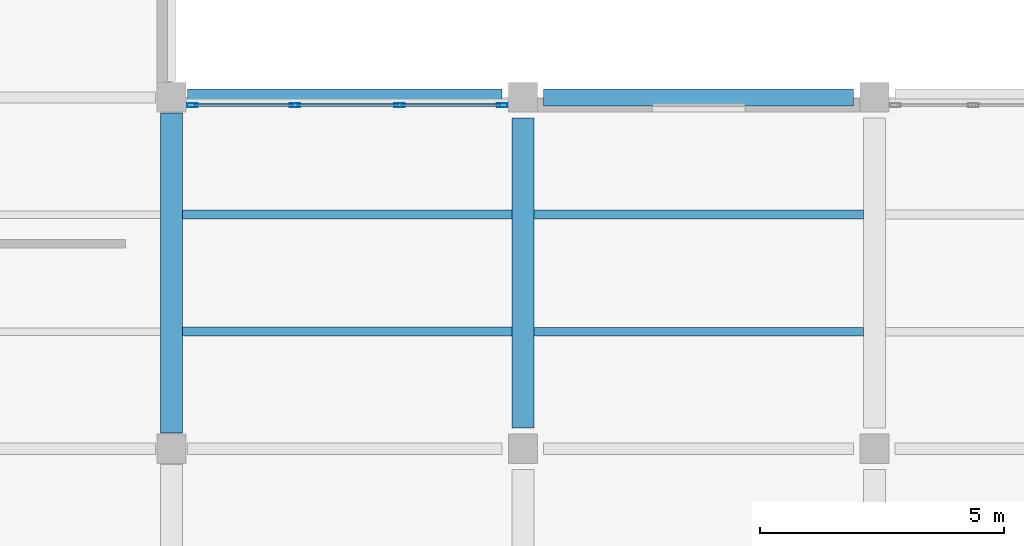
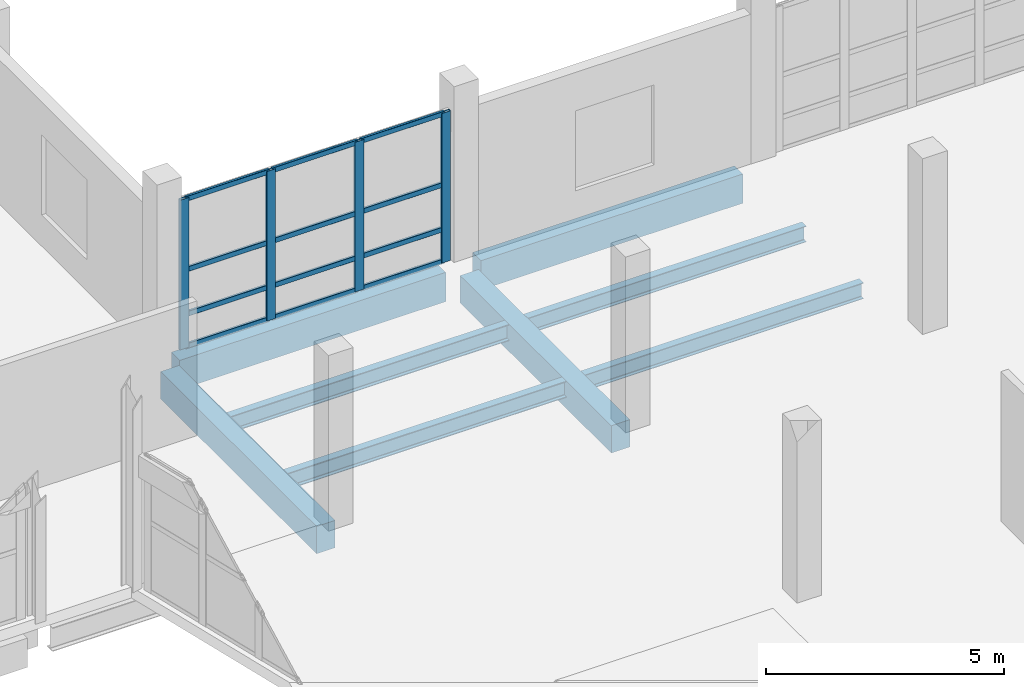
# One storey, part 69 of 123: 16 members, 8 beams, 1 element without a shape of its own.
"""IFC4 building model written with IfcOpenShell, lengths in metres."""

from ifc_helpers import new_model, si_unit, direction, frame, origin, origin_2d, place, context, subcontext, project, spatial, rectangle, hollow_rectangle, i_section, extrude, material, material_profile, profile_set, type_object, element, aggregate, save


model = new_model("IFC4")

# Units and contexts
model_context = context("Model", 3, precision=1e-05, world=origin(), true_north=direction((0.0, 1.0)))
body_context = subcontext(model_context, "Body", "Model", "MODEL_VIEW")
ifc_project = project(units=[si_unit("LENGTHUNIT", "METRE"), si_unit("AREAUNIT", "SQUARE_METRE"), si_unit("VOLUMEUNIT", "CUBIC_METRE"), si_unit("PLANEANGLEUNIT", "RADIAN"), si_unit("MASSUNIT", "GRAM", prefix="KILO")], contexts=[model_context])

# Site, building, storey
site_placement = place(None, origin())
site = spatial("IfcSite", under=ifc_project, at=site_placement, CompositionType="ELEMENT")
building_placement = place(site_placement, origin())
building = spatial("IfcBuilding", under=site, at=building_placement, Name="Kalmorath City Hall", CompositionType="ELEMENT")
storey_placement = place(building_placement, frame((0.0, 0.0, 10.199951171875)))
storey = spatial("IfcBuildingStorey", under=building, at=storey_placement, Name="L02", CompositionType="ELEMENT", Elevation=10.199951171875)

# Beams
ifc_material_1 = material(Name="Concrete C40/50", Category="concrete")
ifc_material_profile_1 = material_profile(ifc_material_1, rectangle(XDim=0.449951171875, YDim=0.699951171875, at=origin_2d()), Name="RC-BM-450X700")
ifc_profile_set_1 = profile_set([ifc_material_profile_1], Name="Concrete C40/50")
beam_type_1 = type_object("IfcBeamType", Name="Concrete floor beam 450x700", PredefinedType="BEAM", material=ifc_profile_set_1)
beam_1_placement = place(storey_placement, frame((129.60009765625, 93.925048828125, -0.634033203125), z_axis=(0.0, 1.0, 0.0), x_axis=(-1.0, 0.0, 0.0)))
element("IfcBeam", 1, at=beam_1_placement, inside=storey, type_object=beam_type_1, Name="L02 girder CB4 Y19/14-15", PredefinedType="BEAM", context=body_context, shape_type="SweptSolid", body=[
    extrude(rectangle(XDim=0.449951171875, YDim=0.699951171875, at=origin_2d()), origin(), (0.0, 0.0, 1.0), 6.550048828125),
])
beam_2_placement = place(storey_placement, frame((136.800048828125, 94.02490234375, -0.634033203125), z_axis=(0.0, 1.0, 0.0), x_axis=(-1.0, 0.0, 0.0)))
element("IfcBeam", 2, at=beam_2_placement, inside=storey, type_object=beam_type_1, Name="L02 girder CB4 Y20/14-15", PredefinedType="BEAM", context=body_context, shape_type="SweptSolid", body=[
    extrude(rectangle(XDim=0.449951171875, YDim=0.699951171875, at=origin_2d()), origin(), (0.0, 0.0, 1.0), 6.35009765625),
])

# Curtain wall, members
ifc_material_2 = material(Name="Anodised aluminium and laminated glass", Category="aluminium")
curtain_wall_type = type_object("IfcCurtainWallType", Name="Unitised hurricane curtain wall 6420x3835 M1850", PredefinedType="NOTDEFINED", material=ifc_material_2)
curtain_wall_placement = place(storey_placement, origin())
curtain_wall = element("IfcCurtainWall", 3, at=curtain_wall_placement, inside=storey, type_object=curtain_wall_type, Name="L02 curtain wall CW-64X38M18 #114", PredefinedType="NOTDEFINED")
ifc_material_3 = material(Name="Anodised aluminium framing", Category="aluminium")
ifc_material_profile_2 = material_profile(ifc_material_3, hollow_rectangle(XDim=0.06005859375, YDim=0.1298828125, WallThickness=0.00341796875, InnerFilletRadius=0.00341796875, OuterFilletRadius=0.007080078125, at=origin_2d()), Name="ALU-TRN-130X60X3.5")
ifc_profile_set_2 = profile_set([ifc_material_profile_2], Name="Anodised aluminium framing")
member_type_1 = type_object("IfcMemberType", Name="Curtain-wall courtyard transom 130x60", PredefinedType="USERDEFINED", material=ifc_profile_set_2)
member_1_placement = place(storey_placement, frame((130.06494140625, 100.639892578125, 0.030029296875), z_axis=(1.0, 0.0, 0.0), x_axis=(0.0, 1.0, 0.0)))
member_1 = element("IfcMember", 4, at=member_1_placement, type_object=member_type_1, Name="CW-64X38M18 transom 1.1", ObjectType="TRANSOM", PredefinedType="USERDEFINED", context=body_context, shape_type="SweptSolid", body=[
    extrude(hollow_rectangle(XDim=0.06005859375, YDim=0.1298828125, WallThickness=0.00341796875, InnerFilletRadius=0.00341796875, OuterFilletRadius=0.007080078125, at=origin_2d()), origin(), (0.0, 0.0, 1.0), 2.027587890625),
])
member_2_placement = place(storey_placement, frame((130.06494140625, 100.639892578125, 0.85009765625), z_axis=(1.0, 0.0, 0.0), x_axis=(0.0, 1.0, 0.0)))
member_2 = element("IfcMember", 5, at=member_2_placement, type_object=member_type_1, Name="CW-64X38M18 transom 1.2", ObjectType="TRANSOM", PredefinedType="USERDEFINED", context=body_context, shape_type="SweptSolid", body=[
    extrude(hollow_rectangle(XDim=0.06005859375, YDim=0.1298828125, WallThickness=0.00341796875, InnerFilletRadius=0.00341796875, OuterFilletRadius=0.007080078125, at=origin_2d()), origin(), (0.0, 0.0, 1.0), 2.027587890625),
])
member_3_placement = place(storey_placement, frame((130.06494140625, 100.639892578125, 1.994140625), z_axis=(1.0, 0.0, 0.0), x_axis=(0.0, 1.0, 0.0)))
member_3 = element("IfcMember", 6, at=member_3_placement, type_object=member_type_1, Name="CW-64X38M18 transom 1.3", ObjectType="TRANSOM", PredefinedType="USERDEFINED", context=body_context, shape_type="SweptSolid", body=[
    extrude(hollow_rectangle(XDim=0.06005859375, YDim=0.1298828125, WallThickness=0.00341796875, InnerFilletRadius=0.00341796875, OuterFilletRadius=0.007080078125, at=origin_2d()), origin(), (0.0, 0.0, 1.0), 2.027587890625),
])
member_4_placement = place(storey_placement, frame((130.06494140625, 100.639892578125, 3.804931640625), z_axis=(1.0, 0.0, 0.0), x_axis=(0.0, 1.0, 0.0)))
member_4 = element("IfcMember", 7, at=member_4_placement, type_object=member_type_1, Name="CW-64X38M18 transom 1.4", ObjectType="TRANSOM", PredefinedType="USERDEFINED", context=body_context, shape_type="SweptSolid", body=[
    extrude(hollow_rectangle(XDim=0.06005859375, YDim=0.1298828125, WallThickness=0.00341796875, InnerFilletRadius=0.00341796875, OuterFilletRadius=0.007080078125, at=origin_2d()), origin(), (0.0, 0.0, 1.0), 2.027587890625),
])
member_5_placement = place(storey_placement, frame((132.16748046875, 100.639892578125, 0.030029296875), z_axis=(1.0, 0.0, 0.0), x_axis=(0.0, 1.0, 0.0)))
member_5 = element("IfcMember", 8, at=member_5_placement, type_object=member_type_1, Name="CW-64X38M18 transom 2.1", ObjectType="TRANSOM", PredefinedType="USERDEFINED", context=body_context, shape_type="SweptSolid", body=[
    extrude(hollow_rectangle(XDim=0.06005859375, YDim=0.1298828125, WallThickness=0.00341796875, InnerFilletRadius=0.00341796875, OuterFilletRadius=0.007080078125, at=origin_2d()), origin(), (0.0, 0.0, 1.0), 2.06494140625),
])
member_6_placement = place(storey_placement, frame((132.16748046875, 100.639892578125, 0.85009765625), z_axis=(1.0, 0.0, 0.0), x_axis=(0.0, 1.0, 0.0)))
member_6 = element("IfcMember", 9, at=member_6_placement, type_object=member_type_1, Name="CW-64X38M18 transom 2.2", ObjectType="TRANSOM", PredefinedType="USERDEFINED", context=body_context, shape_type="SweptSolid", body=[
    extrude(hollow_rectangle(XDim=0.06005859375, YDim=0.1298828125, WallThickness=0.00341796875, InnerFilletRadius=0.00341796875, OuterFilletRadius=0.007080078125, at=origin_2d()), origin(), (0.0, 0.0, 1.0), 2.06494140625),
])
member_7_placement = place(storey_placement, frame((132.16748046875, 100.639892578125, 1.994140625), z_axis=(1.0, 0.0, 0.0), x_axis=(0.0, 1.0, 0.0)))
member_7 = element("IfcMember", 10, at=member_7_placement, type_object=member_type_1, Name="CW-64X38M18 transom 2.3", ObjectType="TRANSOM", PredefinedType="USERDEFINED", context=body_context, shape_type="SweptSolid", body=[
    extrude(hollow_rectangle(XDim=0.06005859375, YDim=0.1298828125, WallThickness=0.00341796875, InnerFilletRadius=0.00341796875, OuterFilletRadius=0.007080078125, at=origin_2d()), origin(), (0.0, 0.0, 1.0), 2.06494140625),
])
member_8_placement = place(storey_placement, frame((132.16748046875, 100.639892578125, 3.804931640625), z_axis=(1.0, 0.0, 0.0), x_axis=(0.0, 1.0, 0.0)))
member_8 = element("IfcMember", 11, at=member_8_placement, type_object=member_type_1, Name="CW-64X38M18 transom 2.4", ObjectType="TRANSOM", PredefinedType="USERDEFINED", context=body_context, shape_type="SweptSolid", body=[
    extrude(hollow_rectangle(XDim=0.06005859375, YDim=0.1298828125, WallThickness=0.00341796875, InnerFilletRadius=0.00341796875, OuterFilletRadius=0.007080078125, at=origin_2d()), origin(), (0.0, 0.0, 1.0), 2.06494140625),
])
member_9_placement = place(storey_placement, frame((134.3076171875, 100.639892578125, 0.030029296875), z_axis=(1.0, 0.0, 0.0), x_axis=(0.0, 1.0, 0.0)))
member_9 = element("IfcMember", 12, at=member_9_placement, type_object=member_type_1, Name="CW-64X38M18 transom 3.1", ObjectType="TRANSOM", PredefinedType="USERDEFINED", context=body_context, shape_type="SweptSolid", body=[
    extrude(hollow_rectangle(XDim=0.06005859375, YDim=0.1298828125, WallThickness=0.00341796875, InnerFilletRadius=0.00341796875, OuterFilletRadius=0.007080078125, at=origin_2d()), origin(), (0.0, 0.0, 1.0), 2.02734375),
])
member_10_placement = place(storey_placement, frame((134.3076171875, 100.639892578125, 0.85009765625), z_axis=(1.0, 0.0, 0.0), x_axis=(0.0, 1.0, 0.0)))
member_10 = element("IfcMember", 13, at=member_10_placement, type_object=member_type_1, Name="CW-64X38M18 transom 3.2", ObjectType="TRANSOM", PredefinedType="USERDEFINED", context=body_context, shape_type="SweptSolid", body=[
    extrude(hollow_rectangle(XDim=0.06005859375, YDim=0.1298828125, WallThickness=0.00341796875, InnerFilletRadius=0.00341796875, OuterFilletRadius=0.007080078125, at=origin_2d()), origin(), (0.0, 0.0, 1.0), 2.02734375),
])
member_11_placement = place(storey_placement, frame((134.3076171875, 100.639892578125, 1.994140625), z_axis=(1.0, 0.0, 0.0), x_axis=(0.0, 1.0, 0.0)))
member_11 = element("IfcMember", 14, at=member_11_placement, type_object=member_type_1, Name="CW-64X38M18 transom 3.3", ObjectType="TRANSOM", PredefinedType="USERDEFINED", context=body_context, shape_type="SweptSolid", body=[
    extrude(hollow_rectangle(XDim=0.06005859375, YDim=0.1298828125, WallThickness=0.00341796875, InnerFilletRadius=0.00341796875, OuterFilletRadius=0.007080078125, at=origin_2d()), origin(), (0.0, 0.0, 1.0), 2.02734375),
])
member_12_placement = place(storey_placement, frame((134.3076171875, 100.639892578125, 3.804931640625), z_axis=(1.0, 0.0, 0.0), x_axis=(0.0, 1.0, 0.0)))
member_12 = element("IfcMember", 15, at=member_12_placement, type_object=member_type_1, Name="CW-64X38M18 transom 3.4", ObjectType="TRANSOM", PredefinedType="USERDEFINED", context=body_context, shape_type="SweptSolid", body=[
    extrude(hollow_rectangle(XDim=0.06005859375, YDim=0.1298828125, WallThickness=0.00341796875, InnerFilletRadius=0.00341796875, OuterFilletRadius=0.007080078125, at=origin_2d()), origin(), (0.0, 0.0, 1.0), 2.02734375),
])
ifc_material_4 = material(Name="Anodised aluminium framing", Category="aluminium")
ifc_material_profile_3 = material_profile(ifc_material_4, hollow_rectangle(XDim=0.074951171875, YDim=0.219970703125, WallThickness=0.00390625, InnerFilletRadius=0.00390625, OuterFilletRadius=0.008056640625, at=origin_2d()), Name="ALU-MUL-220X75X4")
ifc_profile_set_3 = profile_set([ifc_material_profile_3], Name="Anodised aluminium framing")
member_type_2 = type_object("IfcMemberType", Name="Curtain-wall primary mullion 220x75", PredefinedType="MULLION", material=ifc_profile_set_3)
member_13_placement = place(storey_placement, frame((130.027587890625, 100.639892578125, 0.0), z_axis=(0.0, 0.0, 1.0), x_axis=(0.0, 1.0, 0.0)))
member_13 = element("IfcMember", 16, at=member_13_placement, type_object=member_type_2, Name="CW-64X38M18 mullion 1", PredefinedType="MULLION", context=body_context, shape_type="SweptSolid", body=[
    extrude(hollow_rectangle(XDim=0.074951171875, YDim=0.219970703125, WallThickness=0.00390625, InnerFilletRadius=0.00390625, OuterFilletRadius=0.008056640625, at=origin_2d()), origin(), (0.0, 0.0, 1.0), 3.8349609375),
])
member_14_placement = place(storey_placement, frame((132.1298828125, 100.639892578125, 0.0), z_axis=(0.0, 0.0, 1.0), x_axis=(0.0, 1.0, 0.0)))
member_14 = element("IfcMember", 17, at=member_14_placement, type_object=member_type_2, Name="CW-64X38M18 mullion 2", PredefinedType="MULLION", context=body_context, shape_type="SweptSolid", body=[
    extrude(hollow_rectangle(XDim=0.074951171875, YDim=0.219970703125, WallThickness=0.00390625, InnerFilletRadius=0.00390625, OuterFilletRadius=0.008056640625, at=origin_2d()), origin(), (0.0, 0.0, 1.0), 3.8349609375),
])
member_15_placement = place(storey_placement, frame((134.27001953125, 100.639892578125, 0.0), z_axis=(0.0, 0.0, 1.0), x_axis=(0.0, 1.0, 0.0)))
member_15 = element("IfcMember", 18, at=member_15_placement, type_object=member_type_2, Name="CW-64X38M18 mullion 3", PredefinedType="MULLION", context=body_context, shape_type="SweptSolid", body=[
    extrude(hollow_rectangle(XDim=0.074951171875, YDim=0.219970703125, WallThickness=0.00390625, InnerFilletRadius=0.00390625, OuterFilletRadius=0.008056640625, at=origin_2d()), origin(), (0.0, 0.0, 1.0), 3.8349609375),
])
member_16_placement = place(storey_placement, frame((136.37255859375, 100.639892578125, 0.0), z_axis=(0.0, 0.0, 1.0), x_axis=(0.0, 1.0, 0.0)))
member_16 = element("IfcMember", 19, at=member_16_placement, type_object=member_type_2, Name="CW-64X38M18 mullion 4", PredefinedType="MULLION", context=body_context, shape_type="SweptSolid", body=[
    extrude(hollow_rectangle(XDim=0.074951171875, YDim=0.219970703125, WallThickness=0.00390625, InnerFilletRadius=0.00390625, OuterFilletRadius=0.008056640625, at=origin_2d()), origin(), (0.0, 0.0, 1.0), 3.8349609375),
])
aggregate(curtain_wall, [member_13, member_14, member_15, member_16, member_1, member_2, member_3, member_4, member_5, member_6, member_7, member_8, member_9, member_10, member_11, member_12])

# Beams
ifc_material_5 = material(Name="Precast concrete C40/50", Category="concrete")
ifc_material_profile_4 = material_profile(ifc_material_5, rectangle(XDim=0.35009765625, YDim=0.75, at=origin_2d()), Name="PC-SP-350X750")
ifc_profile_set_4 = profile_set([ifc_material_profile_4], Name="Precast concrete C40/50")
beam_type_2 = type_object("IfcBeamType", Name="Precast spandrel lintel 350x750", PredefinedType="LINTEL", material=ifc_profile_set_4)
beam_3_placement = place(storey_placement, frame((129.925048828125, 100.800048828125, -0.658935546875), z_axis=(1.0, 0.0, 0.0), x_axis=(0.0, 1.0, 0.0)))
element("IfcBeam", 20, at=beam_3_placement, inside=storey, type_object=beam_type_2, Name="L02 girder PSB1 X19-20/15", PredefinedType="LINTEL", context=body_context, shape_type="SweptSolid", body=[
    extrude(rectangle(XDim=0.35009765625, YDim=0.75, at=origin_2d()), origin(), (0.0, 0.0, 1.0), 6.449951171875),
])
beam_4_placement = place(storey_placement, frame((137.22509765625, 100.800048828125, -0.658935546875), z_axis=(1.0, 0.0, 0.0), x_axis=(0.0, 1.0, 0.0)))
element("IfcBeam", 21, at=beam_4_placement, inside=storey, type_object=beam_type_2, Name="L02 girder PSB1 X20-21/15", PredefinedType="LINTEL", context=body_context, shape_type="SweptSolid", body=[
    extrude(rectangle(XDim=0.35009765625, YDim=0.75, at=origin_2d()), origin(), (0.0, 0.0, 1.0), 6.349853515625),
])
ifc_material_6 = material(Name="Steel ASTM A992 Grade 50", Category="steel")
ifc_material_profile_5 = material_profile(ifc_material_6, i_section(OverallWidth=0.178955078125, OverallDepth=0.409912109375, WebThickness=0.0087890625, FlangeThickness=0.014404296875, FilletRadius=0.012939453125, at=origin_2d()), Name="W16X45")
ifc_profile_set_5 = profile_set([ifc_material_profile_5], Name="Steel ASTM A992 Grade 50")
beam_type_3 = type_object("IfcBeamType", Name="Steel composite joist W16X45", PredefinedType="JOIST", material=ifc_profile_set_5)
for number, where, z_axis, x_axis, name in (
    (22, (137.02490234375, 96.0, -0.489013671875), (1.0, 0.0, 0.0), (0.0, 1.0, 0.0), "L02 joist SJ6 20.14.1"),
    (23, (137.02490234375, 98.39990234375, -0.489013671875), (1.0, 0.0, 0.0), (0.0, 1.0, 0.0), "L02 joist SJ6 20.14.2"),
):
    element("IfcBeam", number, at=place(storey_placement, frame(where, z_axis=z_axis, x_axis=x_axis)), inside=storey, type_object=beam_type_3, Name=name, PredefinedType="JOIST", context=body_context, shape_type="SweptSolid", body=[
        extrude(i_section(OverallWidth=0.178955078125, OverallDepth=0.409912109375, WebThickness=0.0087890625, FlangeThickness=0.014404296875, FilletRadius=0.012939453125, at=origin_2d()), origin(), (0.0, 0.0, 1.0), 6.75),
    ])
ifc_material_7 = material(Name="Steel ASTM A992 Grade 50", Category="steel")
ifc_material_profile_6 = material_profile(ifc_material_7, i_section(OverallWidth=0.180908203125, OverallDepth=0.4169921875, WebThickness=0.010986328125, FlangeThickness=0.018310546875, FilletRadius=0.012939453125, at=origin_2d()), Name="W16X57")
ifc_profile_set_6 = profile_set([ifc_material_profile_6], Name="Steel ASTM A992 Grade 50")
beam_type_4 = type_object("IfcBeamType", Name="Steel composite joist W16X57", PredefinedType="JOIST", material=ifc_profile_set_6)
for number, where, z_axis, x_axis, name in (
    (24, (129.824951171875, 96.0, -0.492431640625), (1.0, 0.0, 0.0), (0.0, 1.0, 0.0), "L02 joist SJ5 19.14.1"),
    (25, (129.824951171875, 98.39990234375, -0.492431640625), (1.0, 0.0, 0.0), (0.0, 1.0, 0.0), "L02 joist SJ5 19.14.2"),
):
    element("IfcBeam", number, at=place(storey_placement, frame(where, z_axis=z_axis, x_axis=x_axis)), inside=storey, type_object=beam_type_4, Name=name, PredefinedType="JOIST", context=body_context, shape_type="SweptSolid", body=[
        extrude(i_section(OverallWidth=0.180908203125, OverallDepth=0.4169921875, WebThickness=0.010986328125, FlangeThickness=0.018310546875, FilletRadius=0.012939453125, at=origin_2d()), origin(), (0.0, 0.0, 1.0), 6.75),
    ])

save(model, "model.ifc")
